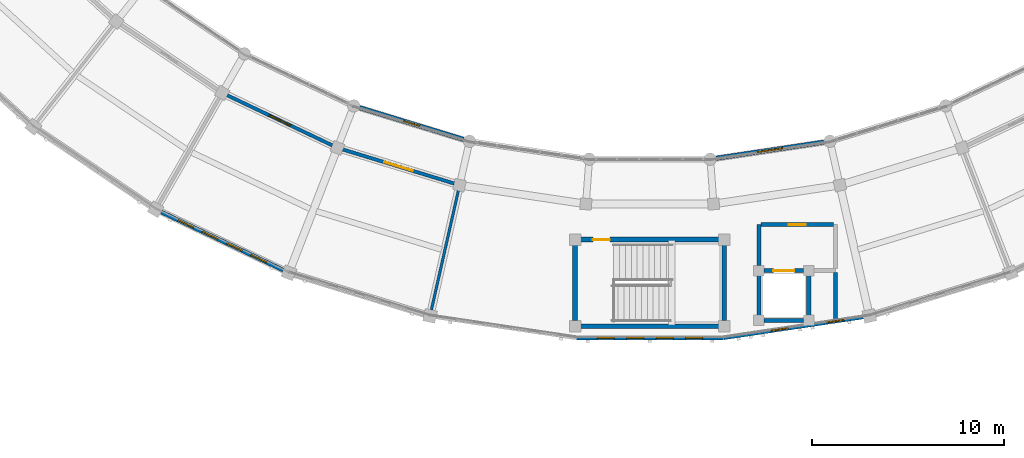
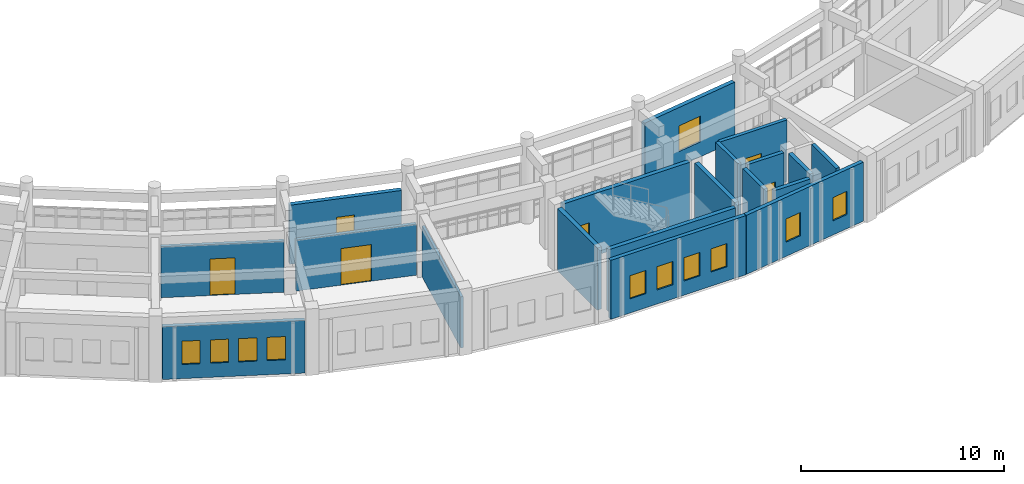
# One storey, part 123 of 159: 19 walls, 12 windows, 5 doors, 17 openings.
"""IFC4 building model written with IfcOpenShell, lengths in metres."""

from ifc_helpers import new_model, si_unit, direction, frame, frame_2d, origin, place, context, subcontext, project, spatial, rectangle, extrude, material, layer, layer_set, type_object, element, fill, save


model = new_model("IFC4")

# Units and contexts
model_context = context("Model", 3, precision=1e-05, world=origin(), true_north=direction((0.0, 1.0)))
body_context = subcontext(model_context, "Body", "Model", "MODEL_VIEW")
ifc_project = project(units=[si_unit("LENGTHUNIT", "METRE"), si_unit("AREAUNIT", "SQUARE_METRE"), si_unit("VOLUMEUNIT", "CUBIC_METRE"), si_unit("PLANEANGLEUNIT", "RADIAN"), si_unit("MASSUNIT", "GRAM", prefix="KILO")], contexts=[model_context])

# Site, building, storey
site_placement = place(None, origin())
site = spatial("IfcSite", under=ifc_project, at=site_placement, CompositionType="ELEMENT")
building_placement = place(site_placement, origin())
building = spatial("IfcBuilding", under=site, at=building_placement, Name="Celadon Cloister-Ring School", CompositionType="ELEMENT")
storey_placement = place(building_placement, frame((0.0, 0.0, 4.5)))
storey = spatial("IfcBuildingStorey", under=building, at=storey_placement, Name="L01", CompositionType="ELEMENT", Elevation=4.5)

# Wall, opening, window
ifc_material_1 = material(Name="Rendered concrete blockwork", Category="masonry")
ifc_layer_1 = layer(ifc_material_1, 0.239990234375)
ifc_layer_set_1 = layer_set([ifc_layer_1], Name="Rendered concrete blockwork")
wall_type_1 = type_object("IfcWallType", Name="WT-EX3", PredefinedType="SOLIDWALL", material=ifc_layer_set_1)
wall_1_placement = place(storey_placement, frame((71.862060546875, 19.15087890625, 0.0), z_axis=(0.0, 0.0, 1.0), x_axis=(0.956419807649, -0.291995122454, 0.0)))
wall_1 = element("IfcWall", 1, at=wall_1_placement, inside=storey, type_object=wall_type_1, Name="Exterior Wall 0074", PredefinedType="SOLIDWALL", context=body_context, shape_type="SweptSolid", body=[
    extrude(rectangle(XDim=5.663818359375, YDim=0.239990234375, at=frame_2d((2.83203125, 0.0))), origin(), (0.0, 0.0, 1.0), 3.550048828125),
])
opening_1_placement = place(wall_1_placement, frame((2.382080078125, 0.0, 0.89990234375)))
opening_1 = element("IfcOpeningElement", 2, at=opening_1_placement, cuts=wall_1, Name="Opening WN-31", PredefinedType="OPENING", context=body_context, shape_type="SweptSolid", body=[
    extrude(rectangle(XDim=0.89990234375, YDim=1.550048828125, at=frame_2d((0.449951171875, 0.77490234375))), frame((0.0, 0.1298828125, 0.0), z_axis=(0.0, -1.0, 0.0), x_axis=(1.0, 0.0, 0.0)), (0.0, 0.0, 1.0), 0.260009765625),
])
ifc_material_2 = material(Name="Tempered laminated insulating glass", Category="glass")
window_type_1 = type_object("IfcWindowType", Name="WN-31", PartitioningType="SINGLE_PANEL", PredefinedType="WINDOW", material=ifc_material_2)
window_1_placement = place(opening_1_placement, origin())
window_1 = element("IfcWindow", 3, at=window_1_placement, inside=storey, type_object=window_type_1, Name="Window 0194", OverallHeight=1.550048828125, OverallWidth=0.89990234375, PartitioningType="SINGLE_PANEL", PredefinedType="WINDOW", context=body_context, shape_type="SweptSolid", body=[
    extrude(rectangle(XDim=0.89990234375, YDim=1.550048828125, at=frame_2d((0.449951171875, 0.77490234375))), frame((0.0, 0.030029296875, 0.0), z_axis=(0.0, -1.0, 0.0), x_axis=(1.0, 0.0, 0.0)), (0.0, 0.0, 1.0), 0.06005859375),
])
fill(opening_1, window_1)

wall_2_placement = place(storey_placement, frame((90.48193359375, 16.514892578125, 0.0), z_axis=(0.0, 0.0, 1.0), x_axis=(0.988996328806, 0.147940060862, 0.0)))
wall_2 = element("IfcWall", 4, at=wall_2_placement, inside=storey, type_object=wall_type_1, Name="Exterior Wall 0078", PredefinedType="SOLIDWALL", context=body_context, shape_type="SweptSolid", body=[
    extrude(rectangle(XDim=5.665283203125, YDim=0.239990234375, at=frame_2d((2.83251953125, 0.0))), origin(), (0.0, 0.0, 1.0), 3.550048828125),
])
opening_2_placement = place(wall_2_placement, frame((2.157958984375, 0.0, 0.89990234375)))
opening_2 = element("IfcOpeningElement", 5, at=opening_2_placement, cuts=wall_2, Name="Opening WN-34", PredefinedType="OPENING", context=body_context, shape_type="SweptSolid", body=[
    extrude(rectangle(XDim=1.35009765625, YDim=1.550048828125, at=frame_2d((0.675048828125, 0.77490234375))), frame((0.0, 0.1298828125, 0.0), z_axis=(0.0, -1.0, 0.0), x_axis=(1.0, 0.0, 0.0)), (0.0, 0.0, 1.0), 0.260009765625),
])
ifc_material_3 = material(Name="Tempered laminated insulating glass", Category="glass")
window_type_2 = type_object("IfcWindowType", Name="WN-34", PartitioningType="SINGLE_PANEL", PredefinedType="WINDOW", material=ifc_material_3)
window_2_placement = place(opening_2_placement, origin())
window_2 = element("IfcWindow", 6, at=window_2_placement, inside=storey, type_object=window_type_2, Name="Window 0205", OverallHeight=1.550048828125, OverallWidth=1.35009765625, PartitioningType="SINGLE_PANEL", PredefinedType="WINDOW", context=body_context, shape_type="SweptSolid", body=[
    extrude(rectangle(XDim=1.35009765625, YDim=1.550048828125, at=frame_2d((0.675048828125, 0.77490234375))), frame((0.0, 0.030029296875, 0.0), z_axis=(0.0, -1.0, 0.0), x_axis=(1.0, 0.0, 0.0)), (0.0, 0.0, 1.0), 0.06005859375),
])
fill(opening_2, window_2)

# Wall, openings, windows
ifc_material_4 = material(Name="Perforated terracotta clay brick masonry", Category="masonry")
ifc_layer_2 = layer(ifc_material_4, 0.219970703125)
ifc_layer_set_2 = layer_set([ifc_layer_2], Name="Perforated terracotta clay brick masonry")
wall_type_2 = type_object("IfcWallType", Name="WT-EX4", PredefinedType="SOLIDWALL", material=ifc_layer_set_2)
wall_3_placement = place(storey_placement, frame((67.85888671875, 10.677001953125, 0.0), z_axis=(0.0, 0.0, 1.0), x_axis=(-0.902744968073, 0.43017615301, 0.0)))
wall_3 = element("IfcWall", 7, at=wall_3_placement, inside=storey, type_object=wall_type_2, Name="Exterior Wall 0072", PredefinedType="SOLIDWALL", context=body_context, shape_type="SweptSolid", body=[
    extrude(rectangle(XDim=7.03173828125, YDim=0.219970703125, at=frame_2d((3.515869140625, 0.0))), origin(), (0.0, 0.0, 1.0), 3.172119140625),
])
opening_3_placement = place(wall_3_placement, frame((0.9560546875, 0.0, 0.85009765625)))
opening_3 = element("IfcOpeningElement", 8, at=opening_3_placement, cuts=wall_3, Name="Opening WN-21", PredefinedType="OPENING", context=body_context, shape_type="SweptSolid", body=[
    extrude(rectangle(XDim=0.89990234375, YDim=1.39990234375, at=frame_2d((0.449951171875, 0.699951171875))), frame((0.0, 0.1201171875, 0.0), z_axis=(0.0, -1.0, 0.0), x_axis=(1.0, 0.0, 0.0)), (0.0, 0.0, 1.0), 0.239990234375),
])
opening_4_placement = place(wall_3_placement, frame((2.363037109375, 0.0, 0.85009765625)))
opening_4 = element("IfcOpeningElement", 9, at=opening_4_placement, cuts=wall_3, Name="Opening WN-21", PredefinedType="OPENING", context=body_context, shape_type="SweptSolid", body=[
    extrude(rectangle(XDim=0.89990234375, YDim=1.39990234375, at=frame_2d((0.449951171875, 0.699951171875))), frame((0.0, 0.1201171875, 0.0), z_axis=(0.0, -1.0, 0.0), x_axis=(1.0, 0.0, 0.0)), (0.0, 0.0, 1.0), 0.239990234375),
])
opening_5_placement = place(wall_3_placement, frame((3.76904296875, 0.0, 0.85009765625)))
opening_5 = element("IfcOpeningElement", 10, at=opening_5_placement, cuts=wall_3, Name="Opening WN-21", PredefinedType="OPENING", context=body_context, shape_type="SweptSolid", body=[
    extrude(rectangle(XDim=0.89990234375, YDim=1.39990234375, at=frame_2d((0.449951171875, 0.699951171875))), frame((0.0, 0.1201171875, 0.0), z_axis=(0.0, -1.0, 0.0), x_axis=(1.0, 0.0, 0.0)), (0.0, 0.0, 1.0), 0.239990234375),
])
opening_6_placement = place(wall_3_placement, frame((5.176025390625, 0.0, 0.85009765625)))
opening_6 = element("IfcOpeningElement", 11, at=opening_6_placement, cuts=wall_3, Name="Opening WN-21", PredefinedType="OPENING", context=body_context, shape_type="SweptSolid", body=[
    extrude(rectangle(XDim=0.89990234375, YDim=1.39990234375, at=frame_2d((0.449951171875, 0.699951171875))), frame((0.0, 0.1201171875, 0.0), z_axis=(0.0, -1.0, 0.0), x_axis=(1.0, 0.0, 0.0)), (0.0, 0.0, 1.0), 0.239990234375),
])
ifc_material_5 = material(Name="Tempered laminated insulating glass", Category="glass")
window_type_3 = type_object("IfcWindowType", Name="WN-21", PartitioningType="SINGLE_PANEL", PredefinedType="WINDOW", material=ifc_material_5)
window_3_placement = place(opening_3_placement, origin())
window_3 = element("IfcWindow", 12, at=window_3_placement, inside=storey, type_object=window_type_3, Name="Window 0186", OverallHeight=1.39990234375, OverallWidth=0.89990234375, PartitioningType="SINGLE_PANEL", PredefinedType="WINDOW", context=body_context, shape_type="SweptSolid", body=[
    extrude(rectangle(XDim=0.89990234375, YDim=1.39990234375, at=frame_2d((0.449951171875, 0.699951171875))), frame((0.0, 0.030029296875, 0.0), z_axis=(0.0, -1.0, 0.0), x_axis=(1.0, 0.0, 0.0)), (0.0, 0.0, 1.0), 0.06005859375),
])
fill(opening_3, window_3)
window_4_placement = place(opening_4_placement, origin())
window_4 = element("IfcWindow", 13, at=window_4_placement, inside=storey, type_object=window_type_3, Name="Window 0187", OverallHeight=1.39990234375, OverallWidth=0.89990234375, PartitioningType="SINGLE_PANEL", PredefinedType="WINDOW", context=body_context, shape_type="SweptSolid", body=[
    extrude(rectangle(XDim=0.89990234375, YDim=1.39990234375, at=frame_2d((0.449951171875, 0.699951171875))), frame((0.0, 0.030029296875, 0.0), z_axis=(0.0, -1.0, 0.0), x_axis=(1.0, 0.0, 0.0)), (0.0, 0.0, 1.0), 0.06005859375),
])
fill(opening_4, window_4)
window_5_placement = place(opening_5_placement, origin())
window_5 = element("IfcWindow", 14, at=window_5_placement, inside=storey, type_object=window_type_3, Name="Window 0188", OverallHeight=1.39990234375, OverallWidth=0.89990234375, PartitioningType="SINGLE_PANEL", PredefinedType="WINDOW", context=body_context, shape_type="SweptSolid", body=[
    extrude(rectangle(XDim=0.89990234375, YDim=1.39990234375, at=frame_2d((0.449951171875, 0.699951171875))), frame((0.0, 0.030029296875, 0.0), z_axis=(0.0, -1.0, 0.0), x_axis=(1.0, 0.0, 0.0)), (0.0, 0.0, 1.0), 0.06005859375),
])
fill(opening_5, window_5)
window_6_placement = place(opening_6_placement, origin())
window_6 = element("IfcWindow", 15, at=window_6_placement, inside=storey, type_object=window_type_3, Name="Window 0189", OverallHeight=1.39990234375, OverallWidth=0.89990234375, PartitioningType="SINGLE_PANEL", PredefinedType="WINDOW", context=body_context, shape_type="SweptSolid", body=[
    extrude(rectangle(XDim=0.89990234375, YDim=1.39990234375, at=frame_2d((0.449951171875, 0.699951171875))), frame((0.0, 0.030029296875, 0.0), z_axis=(0.0, -1.0, 0.0), x_axis=(1.0, 0.0, 0.0)), (0.0, 0.0, 1.0), 0.06005859375),
])
fill(opening_6, window_6)

wall_4_placement = place(storey_placement, frame((90.85205078125, 7.14306640625, 0.0), z_axis=(0.0, 0.0, 1.0), x_axis=(-1.0, 0.0, 0.0)))
wall_4 = element("IfcWall", 16, at=wall_4_placement, inside=storey, type_object=wall_type_2, Name="Exterior Wall 0076", PredefinedType="SOLIDWALL", context=body_context, shape_type="SweptSolid", body=[
    extrude(rectangle(XDim=7.68603515625, YDim=0.219970703125, at=frame_2d((3.843017578125, 0.0))), origin(), (0.0, 0.0, 1.0), 3.550048828125),
])
opening_7_placement = place(wall_4_placement, frame((1.0869140625, 0.0, 0.85009765625)))
opening_7 = element("IfcOpeningElement", 17, at=opening_7_placement, cuts=wall_4, Name="Opening WN-21", PredefinedType="OPENING", context=body_context, shape_type="SweptSolid", body=[
    extrude(rectangle(XDim=0.89990234375, YDim=1.39990234375, at=frame_2d((0.449951171875, 0.699951171875))), frame((0.0, 0.1201171875, 0.0), z_axis=(0.0, -1.0, 0.0), x_axis=(1.0, 0.0, 0.0)), (0.0, 0.0, 1.0), 0.239990234375),
])
opening_8_placement = place(wall_4_placement, frame((2.6240234375, 0.0, 0.85009765625)))
opening_8 = element("IfcOpeningElement", 18, at=opening_8_placement, cuts=wall_4, Name="Opening WN-21", PredefinedType="OPENING", context=body_context, shape_type="SweptSolid", body=[
    extrude(rectangle(XDim=0.89990234375, YDim=1.39990234375, at=frame_2d((0.449951171875, 0.699951171875))), frame((0.0, 0.1201171875, 0.0), z_axis=(0.0, -1.0, 0.0), x_axis=(1.0, 0.0, 0.0)), (0.0, 0.0, 1.0), 0.239990234375),
])
opening_9_placement = place(wall_4_placement, frame((4.162109375, 0.0, 0.85009765625)))
opening_9 = element("IfcOpeningElement", 19, at=opening_9_placement, cuts=wall_4, Name="Opening WN-21", PredefinedType="OPENING", context=body_context, shape_type="SweptSolid", body=[
    extrude(rectangle(XDim=0.89990234375, YDim=1.39990234375, at=frame_2d((0.449951171875, 0.699951171875))), frame((0.0, 0.1201171875, 0.0), z_axis=(0.0, -1.0, 0.0), x_axis=(1.0, 0.0, 0.0)), (0.0, 0.0, 1.0), 0.239990234375),
])
opening_10_placement = place(wall_4_placement, frame((5.698974609375, 0.0, 0.85009765625)))
opening_10 = element("IfcOpeningElement", 20, at=opening_10_placement, cuts=wall_4, Name="Opening WN-21", PredefinedType="OPENING", context=body_context, shape_type="SweptSolid", body=[
    extrude(rectangle(XDim=0.89990234375, YDim=1.39990234375, at=frame_2d((0.449951171875, 0.699951171875))), frame((0.0, 0.1201171875, 0.0), z_axis=(0.0, -1.0, 0.0), x_axis=(1.0, 0.0, 0.0)), (0.0, 0.0, 1.0), 0.239990234375),
])
window_7_placement = place(opening_7_placement, origin())
window_7 = element("IfcWindow", 21, at=window_7_placement, inside=storey, type_object=window_type_3, Name="Window 0199", OverallHeight=1.39990234375, OverallWidth=0.89990234375, PartitioningType="SINGLE_PANEL", PredefinedType="WINDOW", context=body_context, shape_type="SweptSolid", body=[
    extrude(rectangle(XDim=0.89990234375, YDim=1.39990234375, at=frame_2d((0.449951171875, 0.699951171875))), frame((0.0, 0.030029296875, 0.0), z_axis=(0.0, -1.0, 0.0), x_axis=(1.0, 0.0, 0.0)), (0.0, 0.0, 1.0), 0.06005859375),
])
fill(opening_7, window_7)
window_8_placement = place(opening_8_placement, origin())
window_8 = element("IfcWindow", 22, at=window_8_placement, inside=storey, type_object=window_type_3, Name="Window 0200", OverallHeight=1.39990234375, OverallWidth=0.89990234375, PartitioningType="SINGLE_PANEL", PredefinedType="WINDOW", context=body_context, shape_type="SweptSolid", body=[
    extrude(rectangle(XDim=0.89990234375, YDim=1.39990234375, at=frame_2d((0.449951171875, 0.699951171875))), frame((0.0, 0.030029296875, 0.0), z_axis=(0.0, -1.0, 0.0), x_axis=(1.0, 0.0, 0.0)), (0.0, 0.0, 1.0), 0.06005859375),
])
fill(opening_8, window_8)
window_9_placement = place(opening_9_placement, origin())
window_9 = element("IfcWindow", 23, at=window_9_placement, inside=storey, type_object=window_type_3, Name="Window 0201", OverallHeight=1.39990234375, OverallWidth=0.89990234375, PartitioningType="SINGLE_PANEL", PredefinedType="WINDOW", context=body_context, shape_type="SweptSolid", body=[
    extrude(rectangle(XDim=0.89990234375, YDim=1.39990234375, at=frame_2d((0.449951171875, 0.699951171875))), frame((0.0, 0.030029296875, 0.0), z_axis=(0.0, -1.0, 0.0), x_axis=(1.0, 0.0, 0.0)), (0.0, 0.0, 1.0), 0.06005859375),
])
fill(opening_9, window_9)
window_10_placement = place(opening_10_placement, origin())
window_10 = element("IfcWindow", 24, at=window_10_placement, inside=storey, type_object=window_type_3, Name="Window 0202", OverallHeight=1.39990234375, OverallWidth=0.89990234375, PartitioningType="SINGLE_PANEL", PredefinedType="WINDOW", context=body_context, shape_type="SweptSolid", body=[
    extrude(rectangle(XDim=0.89990234375, YDim=1.39990234375, at=frame_2d((0.449951171875, 0.699951171875))), frame((0.0, 0.030029296875, 0.0), z_axis=(0.0, -1.0, 0.0), x_axis=(1.0, 0.0, 0.0)), (0.0, 0.0, 1.0), 0.06005859375),
])
fill(opening_10, window_10)

wall_5_placement = place(storey_placement, frame((98.138916015625, 8.23095703125, 0.0), z_axis=(0.0, 0.0, 1.0), x_axis=(-0.989043064047, -0.1476272924, 0.0)))
wall_5 = element("IfcWall", 25, at=wall_5_placement, inside=storey, type_object=wall_type_2, Name="Exterior Wall 0077", PredefinedType="SOLIDWALL", context=body_context, shape_type="SweptSolid", body=[
    extrude(rectangle(XDim=7.349365234375, YDim=0.219970703125, at=frame_2d((3.6748046875, 0.0))), origin(), (0.0, 0.0, 1.0), 3.550048828125),
])
opening_11_placement = place(wall_5_placement, frame((1.02001953125, 0.0, 0.85009765625)))
opening_11 = element("IfcOpeningElement", 26, at=opening_11_placement, cuts=wall_5, Name="Opening WN-21", PredefinedType="OPENING", context=body_context, shape_type="SweptSolid", body=[
    extrude(rectangle(XDim=0.89990234375, YDim=1.39990234375, at=frame_2d((0.449951171875, 0.699951171875))), frame((0.0, 0.1201171875, 0.0), z_axis=(0.0, -1.0, 0.0), x_axis=(1.0, 0.0, 0.0)), (0.0, 0.0, 1.0), 0.239990234375),
])
opening_12_placement = place(wall_5_placement, frame((3.9599609375, 0.0, 0.85009765625)))
opening_12 = element("IfcOpeningElement", 27, at=opening_12_placement, cuts=wall_5, Name="Opening WN-21", PredefinedType="OPENING", context=body_context, shape_type="SweptSolid", body=[
    extrude(rectangle(XDim=0.89990234375, YDim=1.39990234375, at=frame_2d((0.449951171875, 0.699951171875))), frame((0.0, 0.1201171875, 0.0), z_axis=(0.0, -1.0, 0.0), x_axis=(1.0, 0.0, 0.0)), (0.0, 0.0, 1.0), 0.239990234375),
])
window_11_placement = place(opening_11_placement, origin())
window_11 = element("IfcWindow", 28, at=window_11_placement, inside=storey, type_object=window_type_3, Name="Window 0203", OverallHeight=1.39990234375, OverallWidth=0.89990234375, PartitioningType="SINGLE_PANEL", PredefinedType="WINDOW", context=body_context, shape_type="SweptSolid", body=[
    extrude(rectangle(XDim=0.89990234375, YDim=1.39990234375, at=frame_2d((0.449951171875, 0.699951171875))), frame((0.0, 0.030029296875, 0.0), z_axis=(0.0, -1.0, 0.0), x_axis=(1.0, 0.0, 0.0)), (0.0, 0.0, 1.0), 0.06005859375),
])
fill(opening_11, window_11)
window_12_placement = place(opening_12_placement, origin())
window_12 = element("IfcWindow", 29, at=window_12_placement, inside=storey, type_object=window_type_3, Name="Window 0204", OverallHeight=1.39990234375, OverallWidth=0.89990234375, PartitioningType="SINGLE_PANEL", PredefinedType="WINDOW", context=body_context, shape_type="SweptSolid", body=[
    extrude(rectangle(XDim=0.89990234375, YDim=1.39990234375, at=frame_2d((0.449951171875, 0.699951171875))), frame((0.0, 0.030029296875, 0.0), z_axis=(0.0, -1.0, 0.0), x_axis=(1.0, 0.0, 0.0)), (0.0, 0.0, 1.0), 0.06005859375),
])
fill(opening_12, window_12)

# Walls
ifc_material_6 = material(Name="Plastered hollow concrete masonry", Category="masonry")
ifc_layer_3 = layer(ifc_material_6, 0.199951171875)
ifc_layer_set_3 = layer_set([ifc_layer_3], Name="Plastered hollow concrete masonry")
wall_type_3 = type_object("IfcWallType", Name="WT-PT1", PredefinedType="PARTITIONING", material=ifc_layer_set_3)
wall_6_placement = place(storey_placement, frame((92.699951171875, 10.9169921875, 0.0), z_axis=(0.0, 0.0, 1.0), x_axis=(0.0, 1.0, 0.0)))
element("IfcWall", 30, at=wall_6_placement, inside=storey, type_object=wall_type_3, Name="Interior Wall 0312", PredefinedType="PARTITIONING", context=body_context, shape_type="SweptSolid", body=[
    extrude(rectangle(XDim=2.133056640625, YDim=0.199951171875, at=frame_2d((1.06640625, 0.0))), origin(), (0.0, 0.0, 1.0), 3.699951171875),
])
wall_7_placement = place(storey_placement, frame((96.699951171875, 8.1298828125, 0.0), z_axis=(0.0, 0.0, 1.0), x_axis=(0.0, 1.0, 0.0)))
element("IfcWall", 31, at=wall_7_placement, inside=storey, type_object=wall_type_3, Name="Interior Wall 0314", PredefinedType="PARTITIONING", context=body_context, shape_type="SweptSolid", body=[
    extrude(rectangle(XDim=2.417236328125, YDim=0.199951171875, at=frame_2d((1.20849609375, 0.0))), origin(), (0.0, 0.0, 1.0), 3.699951171875),
])

# Wall, opening, door
wall_8_placement = place(storey_placement, frame((92.802978515625, 13.050048828125, 0.0), z_axis=(0.0, 0.0, 1.0), x_axis=(1.0, 0.0, 0.0)))
wall_8 = element("IfcWall", 32, at=wall_8_placement, inside=storey, type_object=wall_type_3, Name="Interior Wall 0316", PredefinedType="PARTITIONING", context=body_context, shape_type="SweptSolid", body=[
    extrude(rectangle(XDim=3.7939453125, YDim=0.199951171875, at=frame_2d((1.89697265625, 0.0))), origin(), (0.0, 0.0, 1.0), 3.699951171875),
])
opening_13_placement = place(wall_8_placement, frame((1.447021484375, 0.0, 0.0)))
opening_13 = element("IfcOpeningElement", 33, at=opening_13_placement, cuts=wall_8, Name="Opening D-0098", PredefinedType="OPENING", context=body_context, shape_type="SweptSolid", body=[
    extrude(rectangle(XDim=0.89990234375, YDim=2.199951171875, at=frame_2d((0.449951171875, 1.10009765625))), frame((0.0, 0.10986328125, 0.0), z_axis=(0.0, -1.0, 0.0), x_axis=(1.0, 0.0, 0.0)), (0.0, 0.0, 1.0), 0.219970703125),
])
ifc_material_7 = material(Name="Solid-core fire-rated hardwood leaf", Category="wood")
door_type_1 = type_object("IfcDoorType", Name="DT-06", OperationType="NOTDEFINED", PredefinedType="DOOR", material=ifc_material_7)
door_1_placement = place(opening_13_placement, origin())
door_1 = element("IfcDoor", 34, at=door_1_placement, inside=storey, type_object=door_type_1, Name="Door D-0098", OperationType="SINGLE_SWING_RIGHT", OverallHeight=2.199951171875, OverallWidth=0.89990234375, PredefinedType="DOOR", context=body_context, shape_type="SweptSolid", body=[
    extrude(rectangle(XDim=0.89990234375, YDim=2.199951171875, at=frame_2d((0.449951171875, 1.10009765625))), frame((0.0, 0.02490234375, 0.0), z_axis=(0.0, -1.0, 0.0), x_axis=(1.0, 0.0, 0.0)), (0.0, 0.0, 1.0), 0.050048828125),
])
fill(opening_13, door_1)

ifc_material_8 = material(Name="Plastered hollow concrete masonry", Category="masonry")
ifc_layer_4 = layer(ifc_material_8, 0.179931640625)
ifc_layer_set_4 = layer_set([ifc_layer_4], Name="Plastered hollow concrete masonry")
wall_type_4 = type_object("IfcWallType", Name="WT-PT2", PredefinedType="PARTITIONING", material=ifc_layer_set_4)
wall_9_placement = place(storey_placement, frame((64.944091796875, 19.800048828125, 0.0), z_axis=(0.0, 0.0, 1.0), x_axis=(0.902690527885, -0.430290379704, 0.0)))
wall_9 = element("IfcWall", 35, at=wall_9_placement, inside=storey, type_object=wall_type_4, Name="Interior Wall 0520", PredefinedType="PARTITIONING", context=body_context, shape_type="SweptSolid", body=[
    extrude(rectangle(XDim=6.081787109375, YDim=0.179931640625, at=frame_2d((3.041015625, 0.0))), origin(), (0.0, 0.0, 1.0), 3.072021484375),
])
opening_14_placement = place(wall_9_placement, frame((2.416015625, 0.0, 0.0)))
opening_14 = element("IfcOpeningElement", 36, at=opening_14_placement, cuts=wall_9, Name="Opening D-0158", PredefinedType="OPENING", context=body_context, shape_type="SweptSolid", body=[
    extrude(rectangle(XDim=1.25, YDim=2.199951171875, at=frame_2d((0.625, 1.10009765625))), frame((0.0, 0.10009765625, 0.0), z_axis=(0.0, -1.0, 0.0), x_axis=(1.0, 0.0, 0.0)), (0.0, 0.0, 1.0), 0.199951171875),
])
ifc_material_9 = material(Name="Galvanised fire-rated hollow steel leaf", Category="steel")
door_type_2 = type_object("IfcDoorType", Name="DT-10", OperationType="NOTDEFINED", PredefinedType="DOOR", material=ifc_material_9)
door_2_placement = place(opening_14_placement, origin())
door_2 = element("IfcDoor", 37, at=door_2_placement, inside=storey, type_object=door_type_2, Name="Door D-0158", OperationType="SINGLE_SWING_RIGHT", OverallHeight=2.199951171875, OverallWidth=1.25, PredefinedType="DOOR", context=body_context, shape_type="SweptSolid", body=[
    extrude(rectangle(XDim=1.25, YDim=2.199951171875, at=frame_2d((0.625, 1.10009765625))), frame((0.0, 0.02490234375, 0.0), z_axis=(0.0, -1.0, 0.0), x_axis=(1.0, 0.0, 0.0)), (0.0, 0.0, 1.0), 0.050048828125),
])
fill(opening_14, door_2)

wall_10_placement = place(storey_placement, frame((70.97802734375, 16.970947265625, 0.0), z_axis=(0.0, 0.0, 1.0), x_axis=(0.956393330743, -0.292081832556, 0.0)))
wall_10 = element("IfcWall", 38, at=wall_10_placement, inside=storey, type_object=wall_type_4, Name="Interior Wall 0521", PredefinedType="PARTITIONING", context=body_context, shape_type="SweptSolid", body=[
    extrude(rectangle(XDim=6.080078125, YDim=0.179931640625, at=frame_2d((3.0400390625, 0.0))), origin(), (0.0, 0.0, 1.0), 3.072021484375),
])
opening_15_placement = place(wall_10_placement, frame((2.264892578125, 0.0, 0.0)))
opening_15 = element("IfcOpeningElement", 39, at=opening_15_placement, cuts=wall_10, Name="Opening D-0159", PredefinedType="OPENING", context=body_context, shape_type="SweptSolid", body=[
    extrude(rectangle(XDim=1.550048828125, YDim=2.199951171875, at=frame_2d((0.77490234375, 1.10009765625))), frame((0.0, 0.10009765625, 0.0), z_axis=(0.0, -1.0, 0.0), x_axis=(1.0, 0.0, 0.0)), (0.0, 0.0, 1.0), 0.199951171875),
])
ifc_material_10 = material(Name="Galvanised fire-rated hollow steel leaf", Category="steel")
door_type_3 = type_object("IfcDoorType", Name="DT-13", OperationType="NOTDEFINED", PredefinedType="DOOR", material=ifc_material_10)
door_3_placement = place(opening_15_placement, origin())
door_3 = element("IfcDoor", 40, at=door_3_placement, inside=storey, type_object=door_type_3, Name="Door D-0159", OperationType="SINGLE_SWING_LEFT", OverallHeight=2.199951171875, OverallWidth=1.550048828125, PredefinedType="DOOR", context=body_context, shape_type="SweptSolid", body=[
    extrude(rectangle(XDim=1.550048828125, YDim=2.199951171875, at=frame_2d((0.77490234375, 1.10009765625))), frame((0.0, 0.02490234375, 0.0), z_axis=(0.0, -1.0, 0.0), x_axis=(1.0, 0.0, 0.0)), (0.0, 0.0, 1.0), 0.050048828125),
])
fill(opening_15, door_3)

# Walls
ifc_material_11 = material(Name="Acoustic mineral-wool drywall partition")
ifc_layer_5 = layer(ifc_material_11, 0.139892578125)
ifc_layer_set_5 = layer_set([ifc_layer_5], Name="Acoustic mineral-wool drywall partition")
wall_type_5 = type_object("IfcWallType", Name="WT-PT4", PredefinedType="PARTITIONING", material=ifc_layer_set_5)
wall_11_placement = place(storey_placement, frame((77.009033203125, 14.823974609375, 0.0), z_axis=(0.0, 0.0, 1.0), x_axis=(-0.220597347052, -0.975364962706, 0.0)))
element("IfcWall", 41, at=wall_11_placement, inside=storey, type_object=wall_type_5, Name="Interior Wall 0492", PredefinedType="PARTITIONING", context=body_context, shape_type="SweptSolid", body=[
    extrude(rectangle(XDim=6.391357421875, YDim=0.139892578125, at=frame_2d((3.19580078125, 0.0))), origin(), (0.0, 0.0, 1.0), 3.072021484375),
])
ifc_material_12 = material(Name="Concrete C40/50", Category="concrete")
ifc_layer_6 = layer(ifc_material_12, 0.239990234375)
ifc_layer_set_6 = layer_set([ifc_layer_6], Name="Concrete C40/50")
wall_type_6 = type_object("IfcWallType", Name="WT-SH1", PredefinedType="SHEAR", material=ifc_layer_set_6)
for number, where, z_axis, x_axis, name in (
    (42, (83.10009765625, 8.0419921875, 0.0), (0.0, 0.0, 1.0), (0.0, 1.0, 0.0), "Interior Wall 0165"),
    (43, (90.89990234375, 11.97802734375, 0.0), (0.0, 0.0, 1.0), (0.0, -1.0, 0.0), "Interior Wall 0166"),
):
    element("IfcWall", number, at=place(storey_placement, frame(where, z_axis=z_axis, x_axis=x_axis)), inside=storey, type_object=wall_type_6, Name=name, PredefinedType="SHEAR", context=body_context, shape_type="SweptSolid", body=[
        extrude(rectangle(XDim=3.93603515625, YDim=0.239990234375, at=frame_2d((1.968017578125, 0.0))), origin(), (0.0, 0.0, 1.0), 3.739990234375),
    ])
wall_12_placement = place(storey_placement, frame((90.60791015625, 7.75, 0.0), z_axis=(0.0, 0.0, 1.0), x_axis=(-1.0, 0.0, 0.0)))
element("IfcWall", 44, at=wall_12_placement, inside=storey, type_object=wall_type_6, Name="Interior Wall 0167", PredefinedType="SHEAR", context=body_context, shape_type="SweptSolid", body=[
    extrude(rectangle(XDim=7.2158203125, YDim=0.239990234375, at=frame_2d((3.60791015625, 0.0))), origin(), (0.0, 0.0, 1.0), 3.739990234375),
])

# Wall, opening, door
wall_13_placement = place(storey_placement, frame((90.60791015625, 12.27001953125, 0.0), z_axis=(0.0, 0.0, 1.0), x_axis=(-1.0, 0.0, 0.0)))
wall_13 = element("IfcWall", 45, at=wall_13_placement, inside=storey, type_object=wall_type_6, Name="Interior Wall 0168", PredefinedType="SHEAR", context=body_context, shape_type="SweptSolid", body=[
    extrude(rectangle(XDim=7.2158203125, YDim=0.239990234375, at=frame_2d((3.60791015625, 0.0))), origin(), (0.0, 0.0, 1.0), 3.739990234375),
])
opening_16_placement = place(wall_13_placement, frame((5.694091796875, 0.0, 0.0)))
opening_16 = element("IfcOpeningElement", 46, at=opening_16_placement, cuts=wall_13, Name="Opening D-0074", PredefinedType="OPENING", context=body_context, shape_type="SweptSolid", body=[
    extrude(rectangle(XDim=0.8798828125, YDim=2.10009765625, at=frame_2d((0.43994140625, 1.050048828125))), frame((0.0, 0.1298828125, 0.0), z_axis=(0.0, -1.0, 0.0), x_axis=(1.0, 0.0, 0.0)), (0.0, 0.0, 1.0), 0.260009765625),
])
ifc_material_13 = material(Name="Solid-core fire-rated hardwood leaf", Category="wood")
door_type_4 = type_object("IfcDoorType", Name="DT-01", OperationType="NOTDEFINED", PredefinedType="DOOR", material=ifc_material_13)
door_4_placement = place(opening_16_placement, origin())
door_4 = element("IfcDoor", 47, at=door_4_placement, inside=storey, type_object=door_type_4, Name="Door D-0074", OperationType="SINGLE_SWING_RIGHT", OverallHeight=2.10009765625, OverallWidth=0.8798828125, PredefinedType="DOOR", context=body_context, shape_type="SweptSolid", body=[
    extrude(rectangle(XDim=0.8798828125, YDim=2.10009765625, at=frame_2d((0.43994140625, 1.050048828125))), frame((0.0, 0.02490234375, 0.0), z_axis=(0.0, -1.0, 0.0), x_axis=(1.0, 0.0, 0.0)), (0.0, 0.0, 1.0), 0.050048828125),
])
fill(opening_16, door_4)

# Walls
ifc_material_14 = material(Name="Concrete C40/50", Category="concrete")
ifc_layer_7 = layer(ifc_material_14, 0.219970703125)
ifc_layer_set_7 = layer_set([ifc_layer_7], Name="Concrete C40/50")
wall_type_7 = type_object("IfcWallType", Name="WT-SH2", PredefinedType="SHEAR", material=ifc_layer_set_7)
wall_14_placement = place(storey_placement, frame((92.967041015625, 8.050048828125, 0.0), z_axis=(0.0, 0.0, 1.0), x_axis=(1.0, 0.0, 0.0)))
element("IfcWall", 48, at=wall_14_placement, inside=storey, type_object=wall_type_7, Name="Interior Wall 0308", PredefinedType="SHEAR", context=body_context, shape_type="SweptSolid", body=[
    extrude(rectangle(XDim=2.06591796875, YDim=0.219970703125, at=frame_2d((1.032958984375, 0.0))), origin(), (0.0, 0.0, 1.0), 3.739990234375),
])
wall_15_placement = place(storey_placement, frame((95.300048828125, 8.31689453125, 0.0), z_axis=(0.0, 0.0, 1.0), x_axis=(0.0, 1.0, 0.0)))
element("IfcWall", 49, at=wall_15_placement, inside=storey, type_object=wall_type_7, Name="Interior Wall 0309", PredefinedType="SHEAR", context=body_context, shape_type="SweptSolid", body=[
    extrude(rectangle(XDim=2.066162109375, YDim=0.219970703125, at=frame_2d((1.033203125, 0.0))), origin(), (0.0, 0.0, 1.0), 3.739990234375),
])

# Wall, opening, door
wall_16_placement = place(storey_placement, frame((95.032958984375, 10.64990234375, 0.0), z_axis=(0.0, 0.0, 1.0), x_axis=(-1.0, 0.0, 0.0)))
wall_16 = element("IfcWall", 50, at=wall_16_placement, inside=storey, type_object=wall_type_7, Name="Interior Wall 0310", PredefinedType="SHEAR", context=body_context, shape_type="SweptSolid", body=[
    extrude(rectangle(XDim=2.06591796875, YDim=0.219970703125, at=frame_2d((1.032958984375, 0.0))), origin(), (0.0, 0.0, 1.0), 3.739990234375),
])
opening_17_placement = place(wall_16_placement, frame((0.48291015625, 0.0, 0.0)))
opening_17 = element("IfcOpeningElement", 51, at=opening_17_placement, cuts=wall_16, Name="Opening LD-014", PredefinedType="OPENING", context=body_context, shape_type="SweptSolid", body=[
    extrude(rectangle(XDim=1.10009765625, YDim=2.14990234375, at=frame_2d((0.550048828125, 1.074951171875))), frame((0.0, 0.1201171875, 0.0), z_axis=(0.0, -1.0, 0.0), x_axis=(1.0, 0.0, 0.0)), (0.0, 0.0, 1.0), 0.239990234375),
])
ifc_material_15 = material(Name="Galvanised fire-rated hollow steel leaf", Category="steel")
door_type_5 = type_object("IfcDoorType", Name="DT-LD1", OperationType="DOUBLE_DOOR_SLIDING", PredefinedType="DOOR", material=ifc_material_15)
door_5_placement = place(opening_17_placement, origin())
door_5 = element("IfcDoor", 52, at=door_5_placement, inside=storey, type_object=door_type_5, Name="Door LD-014", OperationType="DOUBLE_DOOR_SLIDING", OverallHeight=2.14990234375, OverallWidth=1.10009765625, PredefinedType="DOOR", context=body_context, shape_type="SweptSolid", body=[
    extrude(rectangle(XDim=1.10009765625, YDim=2.14990234375, at=frame_2d((0.550048828125, 1.074951171875))), frame((0.0, 0.02490234375, 0.0), z_axis=(0.0, -1.0, 0.0), x_axis=(1.0, 0.0, 0.0)), (0.0, 0.0, 1.0), 0.050048828125),
])
fill(opening_17, door_5)

# Wall
wall_17_placement = place(storey_placement, frame((92.699951171875, 10.383056640625, 0.0), z_axis=(0.0, 0.0, 1.0), x_axis=(0.0, -1.0, 0.0)))
element("IfcWall", 53, at=wall_17_placement, inside=storey, type_object=wall_type_7, Name="Interior Wall 0311", PredefinedType="SHEAR", context=body_context, shape_type="SweptSolid", body=[
    extrude(rectangle(XDim=2.066162109375, YDim=0.219970703125, at=frame_2d((1.033203125, 0.0))), origin(), (0.0, 0.0, 1.0), 3.739990234375),
])

save(model, "model.ifc")
